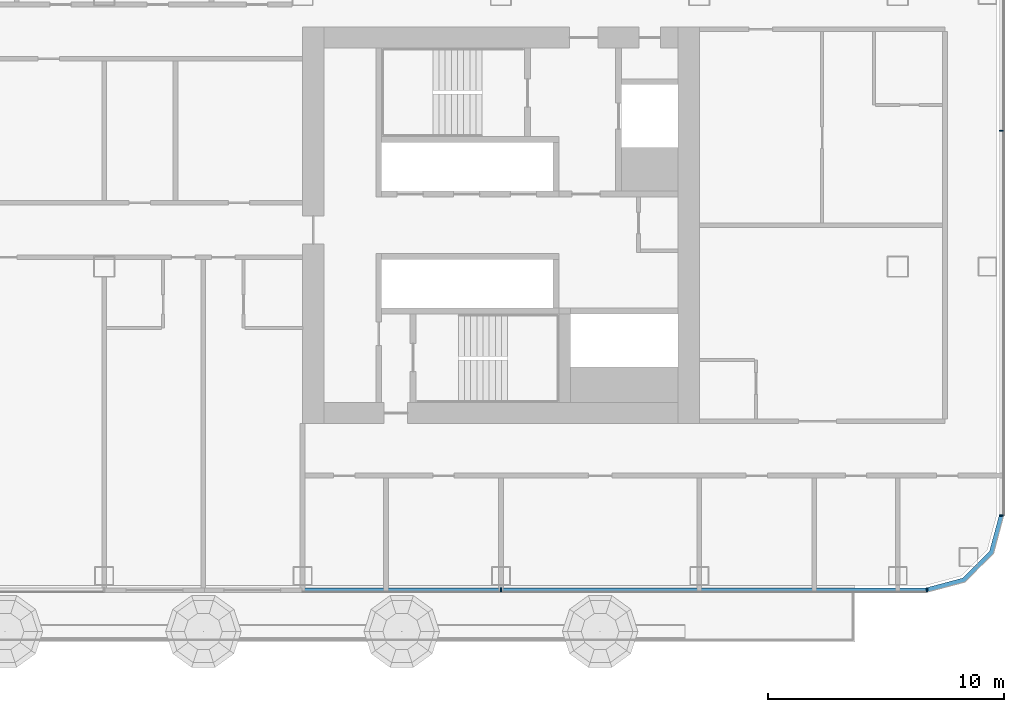
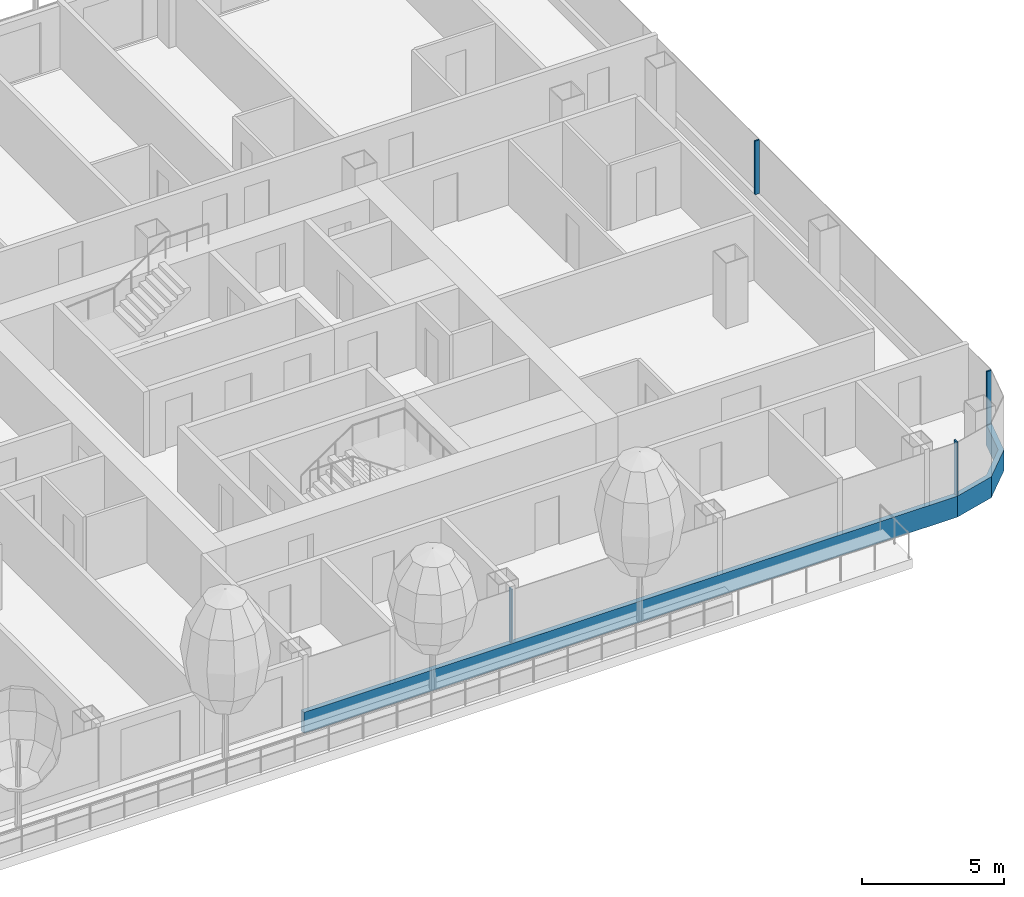
# One storey, part 7 of 33: 6 members, 3 elements without a shape of their own.
"""IFC4 building model written with IfcOpenShell, lengths in metres."""

from ifc_helpers import new_model, si_unit, direction, frame, origin, origin_2d, place, context, subcontext, project, spatial, polyline, rectangle, outline, extrude, material, layer, layer_set, material_profile, profile_set, type_object, element, aggregate, save


model = new_model("IFC4")

# Units and contexts
model_context = context("Model", 3, precision=1e-05, world=origin(), true_north=direction((0.0, 1.0)))
body_context = subcontext(model_context, "Body", "Model", "MODEL_VIEW")
ifc_project = project(units=[si_unit("LENGTHUNIT", "METRE"), si_unit("AREAUNIT", "SQUARE_METRE"), si_unit("VOLUMEUNIT", "CUBIC_METRE"), si_unit("PLANEANGLEUNIT", "RADIAN"), si_unit("MASSUNIT", "GRAM", prefix="KILO")], contexts=[model_context])

# Site, building, storey
site_placement = place(None, origin())
site = spatial("IfcSite", under=ifc_project, at=site_placement, CompositionType="ELEMENT")
building_placement = place(site_placement, origin())
building = spatial("IfcBuilding", under=site, at=building_placement, Name="Hakoniwa Tower and Hamabe Station Hall", CompositionType="ELEMENT")
storey_placement = place(building_placement, frame((0.0, 0.0, 81.800048828125)))
storey = spatial("IfcBuildingStorey", under=building, at=storey_placement, Name="L22", CompositionType="ELEMENT", Elevation=81.800048828125)

# Curtain wall, member
ifc_material_1 = material(Name="Dark low-e laminated glass", Category="glass")
ifc_layer = layer(ifc_material_1, 0.199951171875)
ifc_layer_set = layer_set([ifc_layer], Name="CW-1 UNITISED GUEST")
curtain_wall_type = type_object("IfcCurtainWallType", Name="CW-1 UNITISED GUEST", PredefinedType="NOTDEFINED", material=ifc_layer_set)
curtain_wall_1_placement = place(storey_placement, origin())
curtain_wall_1 = element("IfcCurtainWall", 1, at=curtain_wall_1_placement, inside=storey, type_object=curtain_wall_type, Name="CW-1 curtain wall", PredefinedType="NOTDEFINED")
ifc_material_2 = material(Name="Aluminium 6063-T5 black anodised", Category="aluminium")
ifc_material_profile_1 = material_profile(ifc_material_2, rectangle(XDim=0.199951171875, YDim=0.89990234375, at=origin_2d()), Name="CW SLAB-EDGE BAND 900X200")
ifc_profile_set_1 = profile_set([ifc_material_profile_1], Name="Aluminium 6063-T5 black anodised")
member_type_1 = type_object("IfcMemberType", Name="CW SLAB-EDGE BAND 900X200", PredefinedType="USERDEFINED", material=ifc_profile_set_1)
member_1_placement = place(storey_placement, frame((16.739990234375, -15.449951171875, -0.10009765625), z_axis=(1.0, 0.0, 0.0), x_axis=(0.0, 1.0, 0.0)))
member_1 = element("IfcMember", 2, at=member_1_placement, type_object=member_type_1, Name="CW-1 transom", ObjectType="TRANSOM", PredefinedType="USERDEFINED", context=body_context, shape_type="SweptSolid", body=[
    extrude(rectangle(XDim=0.199951171875, YDim=0.89990234375, at=origin_2d()), origin(), (0.0, 0.0, 1.0), 26.49951171875),
])

curtain_wall_2_placement = place(storey_placement, origin())
curtain_wall_2 = element("IfcCurtainWall", 3, at=curtain_wall_2_placement, inside=storey, type_object=curtain_wall_type, Name="CW-1 curtain wall", PredefinedType="NOTDEFINED")
member_2_placement = place(storey_placement, frame((0.0, 0.0, -0.550048828125)))
member_2 = element("IfcMember", 4, at=member_2_placement, type_object=member_type_1, Name="CW-1 transom", ObjectType="TRANSOM", PredefinedType="USERDEFINED", context=body_context, shape_type="SweptSolid", body=[
    extrude(outline(polyline([(43.239501953125, -15.550048828125), (44.855224609375, -15.116943359375), (46.067138671875, -13.9052734375), (46.5, -12.28955078125), (46.306884765625, -12.23779296875), (45.8876953125, -13.8017578125), (44.751708984375, -14.937744140625), (43.187744140625, -15.35693359375), (43.239501953125, -15.550048828125)])), origin(), (0.0, 0.0, 1.0), 0.89990234375),
])
aggregate(curtain_wall_2, [member_2])

# Curtain wall, members
curtain_wall_3_placement = place(storey_placement, origin())
curtain_wall_3 = element("IfcCurtainWall", 5, at=curtain_wall_3_placement, inside=storey, type_object=curtain_wall_type, Name="CW-1 curtain wall", PredefinedType="NOTDEFINED")
ifc_material_3 = material(Name="Aluminium 6063-T5 black anodised", Category="aluminium")
ifc_material_profile_2 = material_profile(ifc_material_3, rectangle(XDim=0.06005859375, YDim=0.179931640625, at=origin_2d()), Name="CW-1 MULLION 60X180")
ifc_profile_set_2 = profile_set([ifc_material_profile_2], Name="Aluminium 6063-T5 black anodised")
member_type_2 = type_object("IfcMemberType", Name="CW-1 MULLION 60X180", PredefinedType="MULLION", material=ifc_profile_set_2)
member_3_placement = place(storey_placement, frame((46.382080078125, -12.28955078125, 0.349853515625), z_axis=(0.0, 0.0, 1.0), x_axis=(0.0, 1.0, 0.0)))
member_3 = element("IfcMember", 6, at=member_3_placement, type_object=member_type_2, Name="CW-1 mullion", PredefinedType="MULLION", context=body_context, shape_type="SweptSolid", body=[
    extrude(rectangle(XDim=0.06005859375, YDim=0.179931640625, at=origin_2d()), origin(), (0.0, 0.0, 1.0), 2.300048828125),
])
member_4_placement = place(storey_placement, frame((46.382080078125, 4.0, 0.349853515625), z_axis=(0.0, 0.0, 1.0), x_axis=(0.0, 1.0, 0.0)))
member_4 = element("IfcMember", 7, at=member_4_placement, type_object=member_type_2, Name="CW-1 mullion", PredefinedType="MULLION", context=body_context, shape_type="SweptSolid", body=[
    extrude(rectangle(XDim=0.06005859375, YDim=0.179931640625, at=origin_2d()), origin(), (0.0, 0.0, 1.0), 2.300048828125),
])
aggregate(curtain_wall_3, [member_3, member_4])

# Member
member_5_placement = place(storey_placement, frame((25.199951171875, -15.431884765625, 0.349853515625), z_axis=(0.0, 0.0, 1.0), x_axis=(1.0, 0.0, 0.0)))
member_5 = element("IfcMember", 8, at=member_5_placement, type_object=member_type_2, Name="CW-1 mullion", PredefinedType="MULLION", context=body_context, shape_type="SweptSolid", body=[
    extrude(rectangle(XDim=0.06005859375, YDim=0.179931640625, at=origin_2d()), origin(), (0.0, 0.0, 1.0), 2.300048828125),
])

member_6_placement = place(storey_placement, frame((43.239501953125, -15.431884765625, 0.349853515625), z_axis=(0.0, 0.0, 1.0), x_axis=(1.0, 0.0, 0.0)))
member_6 = element("IfcMember", 9, at=member_6_placement, type_object=member_type_2, Name="CW-1 mullion", PredefinedType="MULLION", context=body_context, shape_type="SweptSolid", body=[
    extrude(rectangle(XDim=0.06005859375, YDim=0.179931640625, at=origin_2d()), origin(), (0.0, 0.0, 1.0), 2.300048828125),
])

aggregate(curtain_wall_1, [member_5, member_6, member_1])

save(model, "model.ifc")
